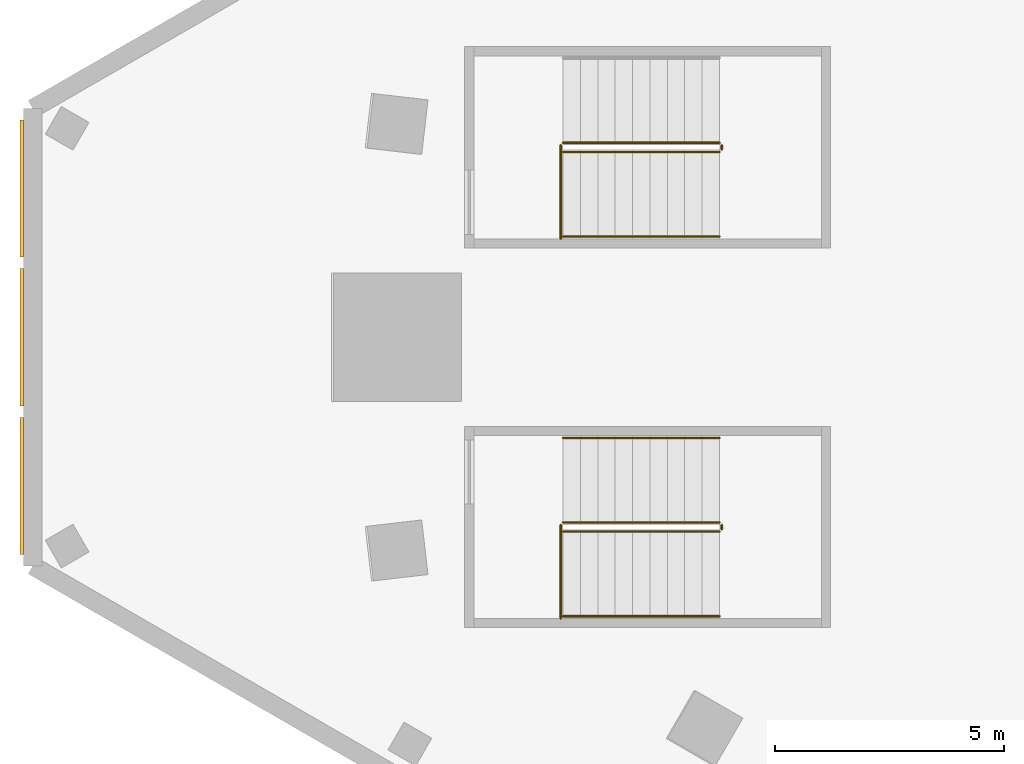
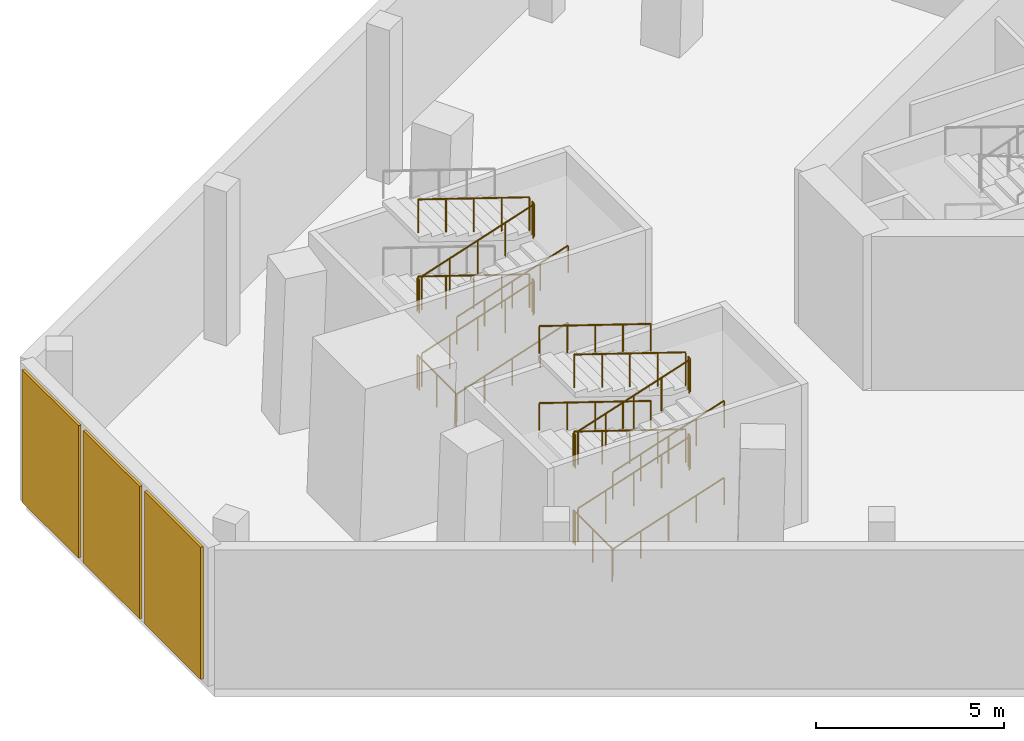
# One storey, part 23 of 36: 24 railings, 3 coverings.
"""IFC4 building model written with IfcOpenShell, lengths in metres."""

import ifcopenshell
import ifcopenshell.guid

model = None  # the IFC model being written
_history = None  # IfcOwnerHistory: only IFC2X3 demands one
_inside = {}  # id of a spatial element -> (the spatial element, [elements in it])
_under = {}  # id of a project, library or spatial element -> (it, [spatial elements below it])
_declared = {}  # id of a project -> (the project, [libraries it declares])
_typed = {}  # id of a type object -> (the type object, [elements of that type])
_made_of = {}  # id of a material, layer set ... -> (it, [elements and type objects made of it])


def new_model(schema):
    """Start an empty IFC model of exactly this schema.

    Asked for "IFC4X3", IfcOpenShell would pick the latest addendum, in which some entities
    have other attributes; the version numbers below select the first issue.
    IFC2X3 requires an IfcOwnerHistory on every rooted entity: one is made here for all.
    """
    global model, _history
    if schema == "IFC4X3":
        model = ifcopenshell.file(schema_version=(4, 3, 0, 0))
    else:
        model = ifcopenshell.file(schema=schema)
    _inside.clear()
    _under.clear()
    _declared.clear()
    _typed.clear()
    _made_of.clear()
    _history = None
    if model.schema == "IFC2X3":
        org = make("IfcOrganization", Name="unknown")
        user = make(
            "IfcPersonAndOrganization",
            ThePerson=make("IfcPerson", FamilyName="unknown"),
            TheOrganization=org,
        )
        app = make(
            "IfcApplication",
            ApplicationDeveloper=org,
            Version="unknown",
            ApplicationFullName="unknown",
            ApplicationIdentifier="unknown",
        )
        _history = make(
            "IfcOwnerHistory",
            OwningUser=user,
            OwningApplication=app,
            ChangeAction="ADDED",
            CreationDate=0,
        )
    return model


def make(cls, **values):
    """One entity of the class cls with the attributes given. An attribute that is None is left unset."""
    return model.create_entity(
        cls, **{name: value for name, value in values.items() if value is not None}
    )


def rooted(cls, **values):
    """An entity with a GlobalId (a new one), such as an element, a storey or a relation."""
    return make(cls, GlobalId=ifcopenshell.guid.new(), OwnerHistory=_history, **values)


def si_unit(unit_type, name, prefix=None):
    """IfcSIUnit, for example si_unit("LENGTHUNIT", "METRE", prefix="MILLI")."""
    return make("IfcSIUnit", UnitType=unit_type, Prefix=prefix, Name=name)


def assignment(units):
    """IfcUnitAssignment: the units of a project."""
    return None if units is None else make("IfcUnitAssignment", Units=units)


def point(xyz):
    """IfcCartesianPoint."""
    return None if xyz is None else make("IfcCartesianPoint", Coordinates=xyz)


def direction(xyz):
    """IfcDirection."""
    return None if xyz is None else make("IfcDirection", DirectionRatios=xyz)


def frame(location, z_axis=None, x_axis=None):
    """IfcAxis2Placement3D, a coordinate frame: its origin and axes. An axis left out is left unset."""
    return make(
        "IfcAxis2Placement3D",
        Location=point(location),
        Axis=direction(z_axis),
        RefDirection=direction(x_axis),
    )


def frame_2d(location, x_axis=None):
    """IfcAxis2Placement2D, a coordinate frame in the plane: its origin and x axis."""
    return make(
        "IfcAxis2Placement2D", Location=point(location), RefDirection=direction(x_axis)
    )


def origin():
    """The frame at (0, 0, 0) with its axes left unset."""
    return frame((0.0, 0.0, 0.0))


def origin_2d():
    """The frame at (0, 0) in the plane with its x axis left unset."""
    return frame_2d((0.0, 0.0))


def place(relative_to, where):
    """IfcLocalPlacement: puts the frame where relative to a parent placement (None: the world)."""
    return make(
        "IfcLocalPlacement", PlacementRelTo=relative_to, RelativePlacement=where
    )


def context(
    kind, dimensions, precision=None, world=None, true_north=None, identifier=None
):
    """IfcGeometricRepresentationContext, for example the 3D "Model" context."""
    return make(
        "IfcGeometricRepresentationContext",
        ContextIdentifier=identifier,
        ContextType=kind,
        CoordinateSpaceDimension=dimensions,
        Precision=precision,
        WorldCoordinateSystem=world,
        TrueNorth=true_north,
    )


def subcontext(parent, identifier, kind, view, scale=None):
    """IfcGeometricRepresentationSubContext, for example "Body" below "Model"."""
    return make(
        "IfcGeometricRepresentationSubContext",
        ContextIdentifier=identifier,
        ContextType=kind,
        ParentContext=parent,
        TargetScale=scale,
        TargetView=view,
    )


def project(units=None, contexts=None):
    """IfcProject with its units and contexts."""
    return rooted(
        "IfcProject",
        Name="project",
        RepresentationContexts=contexts,
        UnitsInContext=assignment(units),
    )


def spatial(cls, under=None, at=None, **own):
    """A site, building, storey or space (cls), placed at a placement, below another one or the project."""
    s = rooted(cls, ObjectPlacement=at, **own)
    if under is not None:
        _under.setdefault(under.id(), (under, []))[1].append(s)
    return s


def profile(cls, at=None, kind="AREA", **sizes):
    """A parametric profile (cls). Its sizes go by their IFC names, for example OverallWidth=200.0."""
    return make(cls, ProfileType=kind, Position=at, **sizes)


def rectangle(**sizes):
    """IfcRectangleProfileDef."""
    return profile("IfcRectangleProfileDef", **sizes)


def circle(**sizes):
    """IfcCircleProfileDef."""
    return profile("IfcCircleProfileDef", **sizes)


def extrude(swept, where, along, depth):
    """IfcExtrudedAreaSolid: the profile swept, set in the frame where, extruded along a direction by depth."""
    return make(
        "IfcExtrudedAreaSolid",
        SweptArea=swept,
        Position=where,
        ExtrudedDirection=direction(along),
        Depth=depth,
    )


def shape(context_of_items, identifier, shape_type, items):
    """IfcShapeRepresentation: the items that make up one representation, for example the "Body"."""
    return make(
        "IfcShapeRepresentation",
        ContextOfItems=context_of_items,
        RepresentationIdentifier=identifier,
        RepresentationType=shape_type,
        Items=items,
    )


def material(Name=None, Category=None):
    """IfcMaterial."""
    return make("IfcMaterial", Name=Name, Category=Category)


def layer(
    of_material, thickness, ventilated=None, Name=None, Category=None, Priority=None
):
    """IfcMaterialLayer: one layer of a wall or slab, of a material (None: an air gap)."""
    return make(
        "IfcMaterialLayer",
        Material=of_material,
        LayerThickness=thickness,
        IsVentilated=ventilated,
        Name=Name,
        Category=Category,
        Priority=Priority,
    )


def layer_set(layers, Name=None):
    """IfcMaterialLayerSet."""
    return make("IfcMaterialLayerSet", MaterialLayers=layers, LayerSetName=Name)


def made_of(thing, what):
    """Note that an element or type object is made of a material, layer set ...; save() writes the relation."""
    if what is not None:
        _made_of.setdefault(what.id(), (what, []))[1].append(thing)
    return thing


def type_object(cls, material=None, **own):
    """A type object (cls), such as IfcWallType, which elements share."""
    return made_of(rooted(cls, **own), material)


def element(
    cls,
    number,
    at=None,
    inside=None,
    cuts=None,
    type_object=None,
    material=None,
    context=None,
    identifier="Body",
    shape_type=None,
    held_by="IfcProductDefinitionShape",
    body=None,
    shapes=None,
    **own,
):
    """One element of the class cls, such as IfcWall. Its Tag is "e" and its number.

    at: its placement. inside: the storey or other place that contains it. cuts: it is an
    opening in that element (IfcRelVoidsElement). A single representation is given by context,
    identifier, shape_type and body (its items); several are given by shapes. held_by: the class
    of the entity that holds the representations. save() writes the other relations.
    """
    e = rooted(cls, Tag="e%d" % number, ObjectPlacement=at, **own)
    if body is not None:
        shapes = [shape(context, identifier, shape_type, body)]
    if shapes is not None:
        e.Representation = make(held_by, Representations=shapes)
    if inside is not None:
        _inside.setdefault(inside.id(), (inside, []))[1].append(e)
    if cuts is not None:
        rooted(
            "IfcRelVoidsElement", RelatingBuildingElement=cuts, RelatedOpeningElement=e
        )
    if type_object is not None:
        _typed.setdefault(type_object.id(), (type_object, []))[1].append(e)
    return made_of(e, material)


def aggregate(whole, parts):
    """IfcRelAggregates: a whole, such as a stair, and the parts it consists of."""
    return rooted("IfcRelAggregates", RelatingObject=whole, RelatedObjects=parts)


def save(model, path):
    """Write the relations noted so far, then the file.

    IfcRelAggregates (storeys below a building ...), IfcRelContainedInSpatialStructure (elements
    in a storey), IfcRelDefinesByType, IfcRelAssociatesMaterial and IfcRelDeclares: one each for
    every whole, place, type object, material and project.
    """
    for whole, parts in _under.values():
        aggregate(whole, parts)
    for where, things in _inside.values():
        rooted(
            "IfcRelContainedInSpatialStructure",
            RelatedElements=things,
            RelatingStructure=where,
        )
    for kind, things in _typed.values():
        rooted("IfcRelDefinesByType", RelatedObjects=things, RelatingType=kind)
    for what, things in _made_of.values():
        rooted("IfcRelAssociatesMaterial", RelatedObjects=things, RelatingMaterial=what)
    for by, libraries in _declared.values():
        rooted("IfcRelDeclares", RelatingContext=by, RelatedDefinitions=libraries)
    model.write(path)


model = new_model("IFC4")

# Units and contexts
model_context = context("Model", 3, precision=1e-05, world=origin(), true_north=direction((0.0, 1.0)))
body_context = subcontext(model_context, "Body", "Model", "MODEL_VIEW")
ifc_project = project(units=[si_unit("LENGTHUNIT", "METRE"), si_unit("AREAUNIT", "SQUARE_METRE"), si_unit("VOLUMEUNIT", "CUBIC_METRE"), si_unit("PLANEANGLEUNIT", "RADIAN"), si_unit("MASSUNIT", "GRAM", prefix="KILO")], contexts=[model_context])

# Site, building, storey
site_placement = place(None, origin())
site = spatial("IfcSite", under=ifc_project, at=site_placement, CompositionType="ELEMENT")
building_placement = place(site_placement, origin())
building = spatial("IfcBuilding", under=site, at=building_placement, Name="Jabali Bay Hotel Tower and Convention Centre", CompositionType="ELEMENT")
storey_placement = place(building_placement, frame((0.0, 0.0, 20.39990234375)))
storey = spatial("IfcBuildingStorey", under=building, at=storey_placement, Name="L03", CompositionType="ELEMENT", Elevation=20.39990234375)

# Coverings
ifc_material_1 = material(Name="Precast concrete C40/50", Category="concrete")
ifc_layer = layer(ifc_material_1, 0.080078125)
ifc_layer_set = layer_set([ifc_layer], Name="Precast concrete C40/50")
covering_type = type_object("IfcCoveringType", Name="Relief panel 3000 x 4300", PredefinedType="CLADDING", material=ifc_layer_set)
for number, where, z_axis, x_axis, name in (
    (1, (26.420166015625, 76.75, 0.10009765625), (0.0, 0.0, 1.0), (0.0, 1.0, 0.0), "Relief panel L03"),
    (2, (26.420166015625, 80.0, 0.10009765625), (0.0, 0.0, 1.0), (0.0, 1.0, 0.0), "Relief panel L03"),
    (3, (26.420166015625, 83.25, 0.10009765625), (0.0, 0.0, 1.0), (0.0, 1.0, 0.0), "Relief panel L03"),
):
    element("IfcCovering", number, at=place(storey_placement, frame(where, z_axis=z_axis, x_axis=x_axis)), inside=storey, type_object=covering_type, Name=name, PredefinedType="CLADDING", context=body_context, shape_type="SweptSolid", body=[
        extrude(rectangle(XDim=3.0, YDim=0.080078125, at=origin_2d()), origin(), (0.0, 0.0, 1.0), 4.300048828125),
    ])

# Railings
ifc_material_2 = material(Name="Steel Q355B", Category="steel")
railing_type_1 = type_object("IfcRailingType", Name="Stair guard 1100", PredefinedType="GUARDRAIL", material=ifc_material_2)
railing_1_placement = place(storey_placement, frame((38.199951171875, 73.85009765625, 0.0)))
element("IfcRailing", 4, at=railing_1_placement, inside=storey, type_object=railing_type_1, Name="L03 PS1 top well guard 1", PredefinedType="GUARDRAIL", context=body_context, shape_type="SweptSolid", body=[
    extrude(circle(Radius=0.02392578125, at=origin_2d()), frame((0.0, 0.0, 1.076171875), z_axis=(0.0, 1.0, 0.0), x_axis=(-1.0, 0.0, 0.0)), (0.0, 0.0, 1.0), 2.0498046875),
    extrude(circle(Radius=0.02099609375, at=origin_2d()), origin(), (0.0, 0.0, 1.0), 1.052001953125),
    extrude(circle(Radius=0.02099609375, at=origin_2d()), frame((0.0, 1.02490234375, 0.0)), (0.0, 0.0, 1.0), 1.052001953125),
    extrude(circle(Radius=0.02099609375, at=origin_2d()), frame((0.0, 2.0498046875, 0.0)), (0.0, 0.0, 1.0), 1.052001953125),
])
railing_2_placement = place(storey_placement, frame((38.25, 75.75, 0.125)))
element("IfcRailing", 5, at=railing_2_placement, inside=storey, type_object=railing_type_1, Name="L03 PS1 stair guard 1", PredefinedType="GUARDRAIL", context=body_context, shape_type="SweptSolid", body=[
    extrude(circle(Radius=0.02392578125, at=origin_2d()), frame((0.0, 0.0, 1.076171875), z_axis=(0.949923671101, 0.0, 0.312482030014), x_axis=(0.0, 1.0, 0.0)), (0.0, 0.0, 1.0), 3.60009765625),
    extrude(circle(Radius=0.02099609375, at=origin_2d()), origin(), (0.0, 0.0, 1.0), 1.052001953125),
    extrude(circle(Radius=0.02099609375, at=origin_2d()), frame((0.85498046875, 0.0, 0.28125)), (0.0, 0.0, 1.0), 1.052001953125),
    extrude(circle(Radius=0.02099609375, at=origin_2d()), frame((1.7099609375, 0.0, 0.5625)), (0.0, 0.0, 1.0), 1.052001953125),
    extrude(circle(Radius=0.02099609375, at=origin_2d()), frame((2.56494140625, 0.0, 0.84375)), (0.0, 0.0, 1.0), 1.052001953125),
    extrude(circle(Radius=0.02099609375, at=origin_2d()), frame((3.419921875, 0.0, 1.125)), (0.0, 0.0, 1.0), 1.052001953125),
])
railing_3_placement = place(storey_placement, frame((41.719970703125, 75.800048828125, 1.25)))
element("IfcRailing", 6, at=railing_3_placement, inside=storey, type_object=railing_type_1, Name="L03 PS1 stair guard 2", PredefinedType="GUARDRAIL", context=body_context, shape_type="SweptSolid", body=[
    extrude(circle(Radius=0.02392578125, at=origin_2d()), frame((0.0, 0.0, 1.076171875), z_axis=(0.0, 1.0, 0.0), x_axis=(-1.0, 0.0, 0.0)), (0.0, 0.0, 1.0), 0.099853515625),
    extrude(circle(Radius=0.02099609375, at=origin_2d()), origin(), (0.0, 0.0, 1.0), 1.052001953125),
    extrude(circle(Radius=0.02099609375, at=origin_2d()), frame((0.0, 0.099853515625, 0.0)), (0.0, 0.0, 1.0), 1.052001953125),
])
railing_4_placement = place(storey_placement, frame((41.669921875, 75.949951171875, 1.375)))
element("IfcRailing", 7, at=railing_4_placement, inside=storey, type_object=railing_type_1, Name="L03 PS1 stair guard 3", PredefinedType="GUARDRAIL", context=body_context, shape_type="SweptSolid", body=[
    extrude(circle(Radius=0.02392578125, at=origin_2d()), frame((0.0, 0.0, 1.076171875), z_axis=(-0.949923671101, 0.0, 0.312482030014), x_axis=(0.0, -1.0, 0.0)), (0.0, 0.0, 1.0), 3.60009765625),
    extrude(circle(Radius=0.02099609375, at=origin_2d()), origin(), (0.0, 0.0, 1.0), 1.052001953125),
    extrude(circle(Radius=0.02099609375, at=origin_2d()), frame((-0.85498046875, 0.0, 0.28125)), (0.0, 0.0, 1.0), 1.052001953125),
    extrude(circle(Radius=0.02099609375, at=origin_2d()), frame((-1.7099609375, 0.0, 0.5625)), (0.0, 0.0, 1.0), 1.052001953125),
    extrude(circle(Radius=0.02099609375, at=origin_2d()), frame((-2.56494140625, 0.0, 0.84375)), (0.0, 0.0, 1.0), 1.052001953125),
    extrude(circle(Radius=0.02099609375, at=origin_2d()), frame((-3.419921875, 0.0, 1.125)), (0.0, 0.0, 1.0), 1.052001953125),
])
railing_5_placement = place(storey_placement, frame((38.199951171875, 75.800048828125, 2.5)))
element("IfcRailing", 8, at=railing_5_placement, inside=storey, type_object=railing_type_1, Name="L03 PS1 stair guard 4", PredefinedType="GUARDRAIL", context=body_context, shape_type="SweptSolid", body=[
    extrude(circle(Radius=0.02392578125, at=origin_2d()), frame((0.0, 0.0, 1.076171875), z_axis=(0.0, 1.0, 0.0), x_axis=(-1.0, 0.0, 0.0)), (0.0, 0.0, 1.0), 0.099853515625),
    extrude(circle(Radius=0.02099609375, at=origin_2d()), origin(), (0.0, 0.0, 1.0), 1.052001953125),
    extrude(circle(Radius=0.02099609375, at=origin_2d()), frame((0.0, 0.099853515625, 0.0)), (0.0, 0.0, 1.0), 1.052001953125),
])
railing_6_placement = place(storey_placement, frame((38.25, 75.75, 2.625)))
element("IfcRailing", 9, at=railing_6_placement, inside=storey, type_object=railing_type_1, Name="L03 PS1 stair guard 5", PredefinedType="GUARDRAIL", context=body_context, shape_type="SweptSolid", body=[
    extrude(circle(Radius=0.02392578125, at=origin_2d()), frame((0.0, 0.0, 1.076171875), z_axis=(0.949923671101, 0.0, 0.312482030014), x_axis=(0.0, 1.0, 0.0)), (0.0, 0.0, 1.0), 3.60009765625),
    extrude(circle(Radius=0.02099609375, at=origin_2d()), origin(), (0.0, 0.0, 1.0), 1.052001953125),
    extrude(circle(Radius=0.02099609375, at=origin_2d()), frame((0.85498046875, 0.0, 0.28125)), (0.0, 0.0, 1.0), 1.052001953125),
    extrude(circle(Radius=0.02099609375, at=origin_2d()), frame((1.7099609375, 0.0, 0.5625)), (0.0, 0.0, 1.0), 1.052001953125),
    extrude(circle(Radius=0.02099609375, at=origin_2d()), frame((2.56494140625, 0.0, 0.84375)), (0.0, 0.0, 1.0), 1.052001953125),
    extrude(circle(Radius=0.02099609375, at=origin_2d()), frame((3.419921875, 0.0, 1.125)), (0.0, 0.0, 1.0), 1.052001953125),
])
railing_7_placement = place(storey_placement, frame((41.719970703125, 75.800048828125, 3.75)))
element("IfcRailing", 10, at=railing_7_placement, inside=storey, type_object=railing_type_1, Name="L03 PS1 stair guard 6", PredefinedType="GUARDRAIL", context=body_context, shape_type="SweptSolid", body=[
    extrude(circle(Radius=0.02392578125, at=origin_2d()), frame((0.0, 0.0, 1.076171875), z_axis=(0.0, 1.0, 0.0), x_axis=(-1.0, 0.0, 0.0)), (0.0, 0.0, 1.0), 0.099853515625),
    extrude(circle(Radius=0.02099609375, at=origin_2d()), origin(), (0.0, 0.0, 1.0), 1.052001953125),
    extrude(circle(Radius=0.02099609375, at=origin_2d()), frame((0.0, 0.099853515625, 0.0)), (0.0, 0.0, 1.0), 1.052001953125),
])
railing_8_placement = place(storey_placement, frame((41.669921875, 75.949951171875, 3.875)))
element("IfcRailing", 11, at=railing_8_placement, inside=storey, type_object=railing_type_1, Name="L03 PS1 stair guard 7", PredefinedType="GUARDRAIL", context=body_context, shape_type="SweptSolid", body=[
    extrude(circle(Radius=0.02392578125, at=origin_2d()), frame((0.0, 0.0, 1.076171875), z_axis=(-0.949923671101, 0.0, 0.312482030014), x_axis=(0.0, -1.0, 0.0)), (0.0, 0.0, 1.0), 3.60009765625),
    extrude(circle(Radius=0.02099609375, at=origin_2d()), origin(), (0.0, 0.0, 1.0), 1.052001953125),
    extrude(circle(Radius=0.02099609375, at=origin_2d()), frame((-0.85498046875, 0.0, 0.28125)), (0.0, 0.0, 1.0), 1.052001953125),
    extrude(circle(Radius=0.02099609375, at=origin_2d()), frame((-1.7099609375, 0.0, 0.5625)), (0.0, 0.0, 1.0), 1.052001953125),
    extrude(circle(Radius=0.02099609375, at=origin_2d()), frame((-2.56494140625, 0.0, 0.84375)), (0.0, 0.0, 1.0), 1.052001953125),
    extrude(circle(Radius=0.02099609375, at=origin_2d()), frame((-3.419921875, 0.0, 1.125)), (0.0, 0.0, 1.0), 1.052001953125),
])
railing_9_placement = place(storey_placement, frame((38.199951171875, 75.800048828125, 0.0)))
element("IfcRailing", 12, at=railing_9_placement, inside=storey, type_object=railing_type_1, Name="L03 PS1 stair guard 8", PredefinedType="GUARDRAIL", context=body_context, shape_type="SweptSolid", body=[
    extrude(circle(Radius=0.02392578125, at=origin_2d()), frame((0.0, 0.0, 1.076171875), z_axis=(0.0, 1.0, 0.0), x_axis=(-1.0, 0.0, 0.0)), (0.0, 0.0, 1.0), 0.099853515625),
    extrude(circle(Radius=0.02099609375, at=origin_2d()), origin(), (0.0, 0.0, 1.0), 1.052001953125),
    extrude(circle(Radius=0.02099609375, at=origin_2d()), frame((0.0, 0.099853515625, 0.0)), (0.0, 0.0, 1.0), 1.052001953125),
])
railing_10_placement = place(storey_placement, frame((38.199951171875, 82.14990234375, 0.0)))
element("IfcRailing", 13, at=railing_10_placement, inside=storey, type_object=railing_type_1, Name="L03 PS2 top well guard 1", PredefinedType="GUARDRAIL", context=body_context, shape_type="SweptSolid", body=[
    extrude(circle(Radius=0.02392578125, at=origin_2d()), frame((0.0, 0.0, 1.076171875), z_axis=(0.0, 1.0, 0.0), x_axis=(-1.0, 0.0, 0.0)), (0.0, 0.0, 1.0), 2.050048828125),
    extrude(circle(Radius=0.02099609375, at=origin_2d()), origin(), (0.0, 0.0, 1.0), 1.052001953125),
    extrude(circle(Radius=0.02099609375, at=origin_2d()), frame((0.0, 1.02490234375, 0.0)), (0.0, 0.0, 1.0), 1.052001953125),
    extrude(circle(Radius=0.02099609375, at=origin_2d()), frame((0.0, 2.050048828125, 0.0)), (0.0, 0.0, 1.0), 1.052001953125),
])
railing_11_placement = place(storey_placement, frame((38.25, 84.050048828125, 0.125)))
element("IfcRailing", 14, at=railing_11_placement, inside=storey, type_object=railing_type_1, Name="L03 PS2 stair guard 1", PredefinedType="GUARDRAIL", context=body_context, shape_type="SweptSolid", body=[
    extrude(circle(Radius=0.02392578125, at=origin_2d()), frame((0.0, 0.0, 1.076171875), z_axis=(0.949923671101, 0.0, 0.312482030014), x_axis=(0.0, 1.0, 0.0)), (0.0, 0.0, 1.0), 3.60009765625),
    extrude(circle(Radius=0.02099609375, at=origin_2d()), origin(), (0.0, 0.0, 1.0), 1.052001953125),
    extrude(circle(Radius=0.02099609375, at=origin_2d()), frame((0.85498046875, 0.0, 0.28125)), (0.0, 0.0, 1.0), 1.052001953125),
    extrude(circle(Radius=0.02099609375, at=origin_2d()), frame((1.7099609375, 0.0, 0.5625)), (0.0, 0.0, 1.0), 1.052001953125),
    extrude(circle(Radius=0.02099609375, at=origin_2d()), frame((2.56494140625, 0.0, 0.84375)), (0.0, 0.0, 1.0), 1.052001953125),
    extrude(circle(Radius=0.02099609375, at=origin_2d()), frame((3.419921875, 0.0, 1.125)), (0.0, 0.0, 1.0), 1.052001953125),
])
railing_12_placement = place(storey_placement, frame((41.719970703125, 84.10009765625, 1.25)))
element("IfcRailing", 15, at=railing_12_placement, inside=storey, type_object=railing_type_1, Name="L03 PS2 stair guard 2", PredefinedType="GUARDRAIL", context=body_context, shape_type="SweptSolid", body=[
    extrude(circle(Radius=0.02392578125, at=origin_2d()), frame((0.0, 0.0, 1.076171875), z_axis=(0.0, 1.0, 0.0), x_axis=(-1.0, 0.0, 0.0)), (0.0, 0.0, 1.0), 0.099853515625),
    extrude(circle(Radius=0.02099609375, at=origin_2d()), origin(), (0.0, 0.0, 1.0), 1.052001953125),
    extrude(circle(Radius=0.02099609375, at=origin_2d()), frame((0.0, 0.099853515625, 0.0)), (0.0, 0.0, 1.0), 1.052001953125),
])
railing_13_placement = place(storey_placement, frame((41.669921875, 84.25, 1.375)))
element("IfcRailing", 16, at=railing_13_placement, inside=storey, type_object=railing_type_1, Name="L03 PS2 stair guard 3", PredefinedType="GUARDRAIL", context=body_context, shape_type="SweptSolid", body=[
    extrude(circle(Radius=0.02392578125, at=origin_2d()), frame((0.0, 0.0, 1.076171875), z_axis=(-0.949923671101, 0.0, 0.312482030014), x_axis=(0.0, -1.0, 0.0)), (0.0, 0.0, 1.0), 3.60009765625),
    extrude(circle(Radius=0.02099609375, at=origin_2d()), origin(), (0.0, 0.0, 1.0), 1.052001953125),
    extrude(circle(Radius=0.02099609375, at=origin_2d()), frame((-0.85498046875, 0.0, 0.28125)), (0.0, 0.0, 1.0), 1.052001953125),
    extrude(circle(Radius=0.02099609375, at=origin_2d()), frame((-1.7099609375, 0.0, 0.5625)), (0.0, 0.0, 1.0), 1.052001953125),
    extrude(circle(Radius=0.02099609375, at=origin_2d()), frame((-2.56494140625, 0.0, 0.84375)), (0.0, 0.0, 1.0), 1.052001953125),
    extrude(circle(Radius=0.02099609375, at=origin_2d()), frame((-3.419921875, 0.0, 1.125)), (0.0, 0.0, 1.0), 1.052001953125),
])
railing_14_placement = place(storey_placement, frame((38.199951171875, 84.10009765625, 2.5)))
element("IfcRailing", 17, at=railing_14_placement, inside=storey, type_object=railing_type_1, Name="L03 PS2 stair guard 4", PredefinedType="GUARDRAIL", context=body_context, shape_type="SweptSolid", body=[
    extrude(circle(Radius=0.02392578125, at=origin_2d()), frame((0.0, 0.0, 1.076171875), z_axis=(0.0, 1.0, 0.0), x_axis=(-1.0, 0.0, 0.0)), (0.0, 0.0, 1.0), 0.099853515625),
    extrude(circle(Radius=0.02099609375, at=origin_2d()), origin(), (0.0, 0.0, 1.0), 1.052001953125),
    extrude(circle(Radius=0.02099609375, at=origin_2d()), frame((0.0, 0.099853515625, 0.0)), (0.0, 0.0, 1.0), 1.052001953125),
])
railing_15_placement = place(storey_placement, frame((38.25, 84.050048828125, 2.625)))
element("IfcRailing", 18, at=railing_15_placement, inside=storey, type_object=railing_type_1, Name="L03 PS2 stair guard 5", PredefinedType="GUARDRAIL", context=body_context, shape_type="SweptSolid", body=[
    extrude(circle(Radius=0.02392578125, at=origin_2d()), frame((0.0, 0.0, 1.076171875), z_axis=(0.949923671101, 0.0, 0.312482030014), x_axis=(0.0, 1.0, 0.0)), (0.0, 0.0, 1.0), 3.60009765625),
    extrude(circle(Radius=0.02099609375, at=origin_2d()), origin(), (0.0, 0.0, 1.0), 1.052001953125),
    extrude(circle(Radius=0.02099609375, at=origin_2d()), frame((0.85498046875, 0.0, 0.28125)), (0.0, 0.0, 1.0), 1.052001953125),
    extrude(circle(Radius=0.02099609375, at=origin_2d()), frame((1.7099609375, 0.0, 0.5625)), (0.0, 0.0, 1.0), 1.052001953125),
    extrude(circle(Radius=0.02099609375, at=origin_2d()), frame((2.56494140625, 0.0, 0.84375)), (0.0, 0.0, 1.0), 1.052001953125),
    extrude(circle(Radius=0.02099609375, at=origin_2d()), frame((3.419921875, 0.0, 1.125)), (0.0, 0.0, 1.0), 1.052001953125),
])
railing_16_placement = place(storey_placement, frame((41.719970703125, 84.10009765625, 3.75)))
element("IfcRailing", 19, at=railing_16_placement, inside=storey, type_object=railing_type_1, Name="L03 PS2 stair guard 6", PredefinedType="GUARDRAIL", context=body_context, shape_type="SweptSolid", body=[
    extrude(circle(Radius=0.02392578125, at=origin_2d()), frame((0.0, 0.0, 1.076171875), z_axis=(0.0, 1.0, 0.0), x_axis=(-1.0, 0.0, 0.0)), (0.0, 0.0, 1.0), 0.099853515625),
    extrude(circle(Radius=0.02099609375, at=origin_2d()), origin(), (0.0, 0.0, 1.0), 1.052001953125),
    extrude(circle(Radius=0.02099609375, at=origin_2d()), frame((0.0, 0.099853515625, 0.0)), (0.0, 0.0, 1.0), 1.052001953125),
])
railing_17_placement = place(storey_placement, frame((41.669921875, 84.25, 3.875)))
element("IfcRailing", 20, at=railing_17_placement, inside=storey, type_object=railing_type_1, Name="L03 PS2 stair guard 7", PredefinedType="GUARDRAIL", context=body_context, shape_type="SweptSolid", body=[
    extrude(circle(Radius=0.02392578125, at=origin_2d()), frame((0.0, 0.0, 1.076171875), z_axis=(-0.949923671101, 0.0, 0.312482030014), x_axis=(0.0, -1.0, 0.0)), (0.0, 0.0, 1.0), 3.60009765625),
    extrude(circle(Radius=0.02099609375, at=origin_2d()), origin(), (0.0, 0.0, 1.0), 1.052001953125),
    extrude(circle(Radius=0.02099609375, at=origin_2d()), frame((-0.85498046875, 0.0, 0.28125)), (0.0, 0.0, 1.0), 1.052001953125),
    extrude(circle(Radius=0.02099609375, at=origin_2d()), frame((-1.7099609375, 0.0, 0.5625)), (0.0, 0.0, 1.0), 1.052001953125),
    extrude(circle(Radius=0.02099609375, at=origin_2d()), frame((-2.56494140625, 0.0, 0.84375)), (0.0, 0.0, 1.0), 1.052001953125),
    extrude(circle(Radius=0.02099609375, at=origin_2d()), frame((-3.419921875, 0.0, 1.125)), (0.0, 0.0, 1.0), 1.052001953125),
])
railing_18_placement = place(storey_placement, frame((38.199951171875, 84.10009765625, 0.0)))
element("IfcRailing", 21, at=railing_18_placement, inside=storey, type_object=railing_type_1, Name="L03 PS2 stair guard 8", PredefinedType="GUARDRAIL", context=body_context, shape_type="SweptSolid", body=[
    extrude(circle(Radius=0.02392578125, at=origin_2d()), frame((0.0, 0.0, 1.076171875), z_axis=(0.0, 1.0, 0.0), x_axis=(-1.0, 0.0, 0.0)), (0.0, 0.0, 1.0), 0.099853515625),
    extrude(circle(Radius=0.02099609375, at=origin_2d()), origin(), (0.0, 0.0, 1.0), 1.052001953125),
    extrude(circle(Radius=0.02099609375, at=origin_2d()), frame((0.0, 0.099853515625, 0.0)), (0.0, 0.0, 1.0), 1.052001953125),
])
railing_type_2 = type_object("IfcRailingType", Name="Stair handrail 900", PredefinedType="HANDRAIL", material=ifc_material_2)
railing_19_placement = place(storey_placement, frame((38.25, 73.89990234375, 0.125)))
element("IfcRailing", 22, at=railing_19_placement, inside=storey, type_object=railing_type_2, Name="L03 PS1 stair handrail 1", PredefinedType="HANDRAIL", context=body_context, shape_type="SweptSolid", body=[
    extrude(circle(Radius=0.02392578125, at=origin_2d()), frame((0.0, 0.0, 0.8759765625), z_axis=(0.949923671101, 0.0, 0.312482030014), x_axis=(0.0, 1.0, 0.0)), (0.0, 0.0, 1.0), 3.60009765625),
    extrude(circle(Radius=0.02099609375, at=origin_2d()), origin(), (0.0, 0.0, 1.0), 0.851806640625),
    extrude(circle(Radius=0.02099609375, at=origin_2d()), frame((0.85498046875, 0.0, 0.28125)), (0.0, 0.0, 1.0), 0.851806640625),
    extrude(circle(Radius=0.02099609375, at=origin_2d()), frame((1.7099609375, 0.0, 0.5625)), (0.0, 0.0, 1.0), 0.851806640625),
    extrude(circle(Radius=0.02099609375, at=origin_2d()), frame((2.56494140625, 0.0, 0.84375)), (0.0, 0.0, 1.0), 0.851806640625),
    extrude(circle(Radius=0.02099609375, at=origin_2d()), frame((3.419921875, 0.0, 1.125)), (0.0, 0.0, 1.0), 0.851806640625),
])
railing_20_placement = place(storey_placement, frame((41.669921875, 77.800048828125, 1.375)))
element("IfcRailing", 23, at=railing_20_placement, inside=storey, type_object=railing_type_2, Name="L03 PS1 stair handrail 2", PredefinedType="HANDRAIL", context=body_context, shape_type="SweptSolid", body=[
    extrude(circle(Radius=0.02392578125, at=origin_2d()), frame((0.0, 0.0, 0.8759765625), z_axis=(-0.949923671101, 0.0, 0.312482030014), x_axis=(0.0, -1.0, 0.0)), (0.0, 0.0, 1.0), 3.60009765625),
    extrude(circle(Radius=0.02099609375, at=origin_2d()), origin(), (0.0, 0.0, 1.0), 0.851806640625),
    extrude(circle(Radius=0.02099609375, at=origin_2d()), frame((-0.85498046875, 0.0, 0.28125)), (0.0, 0.0, 1.0), 0.851806640625),
    extrude(circle(Radius=0.02099609375, at=origin_2d()), frame((-1.7099609375, 0.0, 0.5625)), (0.0, 0.0, 1.0), 0.851806640625),
    extrude(circle(Radius=0.02099609375, at=origin_2d()), frame((-2.56494140625, 0.0, 0.84375)), (0.0, 0.0, 1.0), 0.851806640625),
    extrude(circle(Radius=0.02099609375, at=origin_2d()), frame((-3.419921875, 0.0, 1.125)), (0.0, 0.0, 1.0), 0.851806640625),
])
railing_21_placement = place(storey_placement, frame((38.25, 73.89990234375, 2.625)))
element("IfcRailing", 24, at=railing_21_placement, inside=storey, type_object=railing_type_2, Name="L03 PS1 stair handrail 3", PredefinedType="HANDRAIL", context=body_context, shape_type="SweptSolid", body=[
    extrude(circle(Radius=0.02392578125, at=origin_2d()), frame((0.0, 0.0, 0.8759765625), z_axis=(0.949923671101, 0.0, 0.312482030014), x_axis=(0.0, 1.0, 0.0)), (0.0, 0.0, 1.0), 3.60009765625),
    extrude(circle(Radius=0.02099609375, at=origin_2d()), origin(), (0.0, 0.0, 1.0), 0.851806640625),
    extrude(circle(Radius=0.02099609375, at=origin_2d()), frame((0.85498046875, 0.0, 0.28125)), (0.0, 0.0, 1.0), 0.851806640625),
    extrude(circle(Radius=0.02099609375, at=origin_2d()), frame((1.7099609375, 0.0, 0.5625)), (0.0, 0.0, 1.0), 0.851806640625),
    extrude(circle(Radius=0.02099609375, at=origin_2d()), frame((2.56494140625, 0.0, 0.84375)), (0.0, 0.0, 1.0), 0.851806640625),
    extrude(circle(Radius=0.02099609375, at=origin_2d()), frame((3.419921875, 0.0, 1.125)), (0.0, 0.0, 1.0), 0.851806640625),
])
railing_22_placement = place(storey_placement, frame((41.669921875, 77.800048828125, 3.875)))
element("IfcRailing", 25, at=railing_22_placement, inside=storey, type_object=railing_type_2, Name="L03 PS1 stair handrail 4", PredefinedType="HANDRAIL", context=body_context, shape_type="SweptSolid", body=[
    extrude(circle(Radius=0.02392578125, at=origin_2d()), frame((0.0, 0.0, 0.8759765625), z_axis=(-0.949923671101, 0.0, 0.312482030014), x_axis=(0.0, -1.0, 0.0)), (0.0, 0.0, 1.0), 3.60009765625),
    extrude(circle(Radius=0.02099609375, at=origin_2d()), origin(), (0.0, 0.0, 1.0), 0.851806640625),
    extrude(circle(Radius=0.02099609375, at=origin_2d()), frame((-0.85498046875, 0.0, 0.28125)), (0.0, 0.0, 1.0), 0.851806640625),
    extrude(circle(Radius=0.02099609375, at=origin_2d()), frame((-1.7099609375, 0.0, 0.5625)), (0.0, 0.0, 1.0), 0.851806640625),
    extrude(circle(Radius=0.02099609375, at=origin_2d()), frame((-2.56494140625, 0.0, 0.84375)), (0.0, 0.0, 1.0), 0.851806640625),
    extrude(circle(Radius=0.02099609375, at=origin_2d()), frame((-3.419921875, 0.0, 1.125)), (0.0, 0.0, 1.0), 0.851806640625),
])
for number, where, name in (
    (26, (38.25, 82.199951171875, 0.125), "L03 PS2 stair handrail 1"),
    (27, (38.25, 82.199951171875, 2.625), "L03 PS2 stair handrail 3"),
):
    element("IfcRailing", number, at=place(storey_placement, frame(where)), inside=storey, type_object=railing_type_2, Name=name, PredefinedType="HANDRAIL", context=body_context, shape_type="SweptSolid", body=[
        extrude(circle(Radius=0.02392578125, at=origin_2d()), frame((0.0, 0.0, 0.8759765625), z_axis=(0.949923671101, 0.0, 0.312482030014), x_axis=(0.0, 1.0, 0.0)), (0.0, 0.0, 1.0), 3.60009765625),
        extrude(circle(Radius=0.02099609375, at=origin_2d()), origin(), (0.0, 0.0, 1.0), 0.851806640625),
        extrude(circle(Radius=0.02099609375, at=origin_2d()), frame((0.85498046875, 0.0, 0.28125)), (0.0, 0.0, 1.0), 0.851806640625),
        extrude(circle(Radius=0.02099609375, at=origin_2d()), frame((1.7099609375, 0.0, 0.5625)), (0.0, 0.0, 1.0), 0.851806640625),
        extrude(circle(Radius=0.02099609375, at=origin_2d()), frame((2.56494140625, 0.0, 0.84375)), (0.0, 0.0, 1.0), 0.851806640625),
        extrude(circle(Radius=0.02099609375, at=origin_2d()), frame((3.419921875, 0.0, 1.125)), (0.0, 0.0, 1.0), 0.851806640625),
    ])

save(model, "model.ifc")
